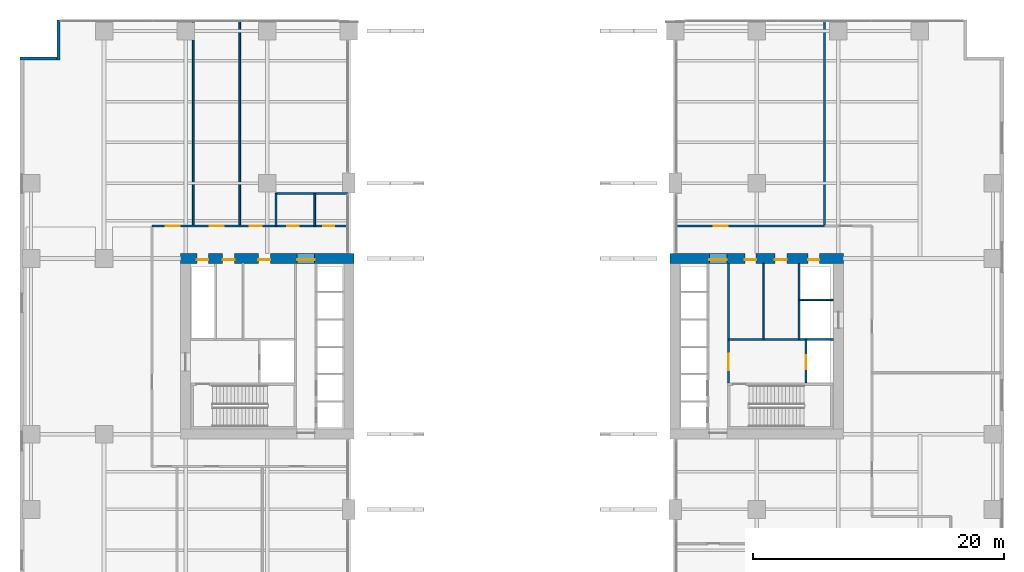
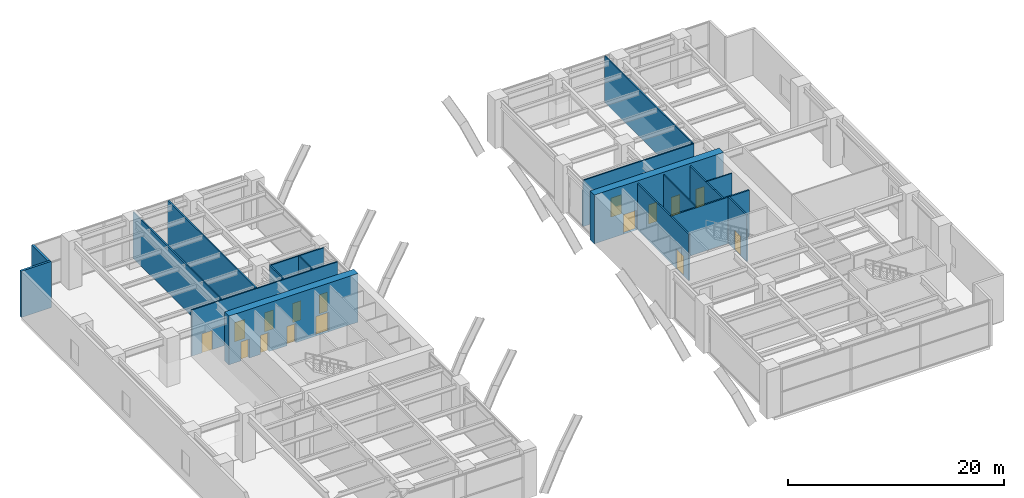
# One storey, part 11 of 17: 18 walls, 16 doors, 16 openings.
"""IFC4 building model written with IfcOpenShell, lengths in metres."""

from ifc_helpers import new_model, si_unit, direction, frame, frame_2d, origin, place, context, subcontext, project, spatial, rectangle, extrude, material, layer, layer_set, type_object, element, fill, save


model = new_model("IFC4")

# Units and contexts
model_context = context("Model", 3, precision=1e-05, world=origin(), true_north=direction((0.0, 1.0)))
body_context = subcontext(model_context, "Body", "Model", "MODEL_VIEW")
ifc_project = project(units=[si_unit("LENGTHUNIT", "METRE"), si_unit("AREAUNIT", "SQUARE_METRE"), si_unit("VOLUMEUNIT", "CUBIC_METRE"), si_unit("PLANEANGLEUNIT", "RADIAN"), si_unit("MASSUNIT", "GRAM", prefix="KILO")], contexts=[model_context])

# Site, building, storey
site_placement = place(None, origin())
site = spatial("IfcSite", under=ifc_project, at=site_placement, CompositionType="ELEMENT")
building_placement = place(site_placement, origin())
building = spatial("IfcBuilding", under=site, at=building_placement, Name="Putna Gate Headquarters", CompositionType="ELEMENT")
storey_placement = place(building_placement, frame((0.0, 0.0, 6.0)))
storey = spatial("IfcBuildingStorey", under=building, at=storey_placement, Name="L01", CompositionType="ELEMENT", Elevation=6.0)

# Wall, openings, doors
ifc_material_1 = material(Name="Concrete C60/75", Category="concrete")
ifc_layer_1 = layer(ifc_material_1, 0.800048828125)
ifc_layer_set_1 = layer_set([ifc_layer_1], Name="Concrete C60/75")
wall_type_1 = type_object("IfcWallType", Name="WALL-CORE-800", PredefinedType="SHEAR", material=ifc_layer_set_1)
wall_1_placement = place(storey_placement, frame((12.60009765625, 33.0, 0.0), z_axis=(0.0, 0.0, 1.0), x_axis=(1.0, 0.0, 0.0)))
wall_1 = element("IfcWall", 1, at=wall_1_placement, inside=storey, type_object=wall_type_1, Name="L01 WC Split Core Shear Wall N", PredefinedType="SHEAR", context=body_context, shape_type="SweptSolid", body=[
    extrude(rectangle(XDim=13.7998046875, YDim=0.800048828125, at=frame_2d((6.89990234375, 0.0))), origin(), (0.0, 0.0, 1.0), 5.5),
])
opening_1_placement = place(wall_1_placement, frame((1.300048828125, 0.0, 0.0)))
opening_1 = element("IfcOpeningElement", 2, at=opening_1_placement, cuts=wall_1, Name="Opening RD-90", PredefinedType="OPENING", context=body_context, shape_type="SweptSolid", body=[
    extrude(rectangle(XDim=0.89990234375, YDim=2.14990234375, at=frame_2d((0.449951171875, 1.074951171875))), frame((0.0, 0.409912109375, 0.0), z_axis=(0.0, -1.0, 0.0), x_axis=(1.0, 0.0, 0.0)), (0.0, 0.0, 1.0), 0.820068359375),
])
opening_2_placement = place(wall_1_placement, frame((3.35009765625, 0.0, 0.0)))
opening_2 = element("IfcOpeningElement", 3, at=opening_2_placement, cuts=wall_1, Name="Opening IDS-95", PredefinedType="OPENING", context=body_context, shape_type="SweptSolid", body=[
    extrude(rectangle(XDim=0.949951171875, YDim=2.14990234375, at=frame_2d((0.47509765625, 1.074951171875))), frame((0.0, 0.409912109375, 0.0), z_axis=(0.0, -1.0, 0.0), x_axis=(1.0, 0.0, 0.0)), (0.0, 0.0, 1.0), 0.820068359375),
])
opening_3_placement = place(wall_1_placement, frame((6.199951171875, 0.0, 0.0)))
opening_3 = element("IfcOpeningElement", 4, at=opening_3_placement, cuts=wall_1, Name="Opening IDS-95", PredefinedType="OPENING", context=body_context, shape_type="SweptSolid", body=[
    extrude(rectangle(XDim=0.949951171875, YDim=2.14990234375, at=frame_2d((0.47509765625, 1.074951171875))), frame((0.0, 0.409912109375, 0.0), z_axis=(0.0, -1.0, 0.0), x_axis=(1.0, 0.0, 0.0)), (0.0, 0.0, 1.0), 0.820068359375),
])
opening_4_placement = place(wall_1_placement, frame((9.280029296875, 0.0, 0.0)))
opening_4 = element("IfcOpeningElement", 5, at=opening_4_placement, cuts=wall_1, Name="Opening FDD-140", PredefinedType="OPENING", context=body_context, shape_type="SweptSolid", body=[
    extrude(rectangle(XDim=1.39990234375, YDim=2.199951171875, at=frame_2d((0.699951171875, 1.10009765625))), frame((0.0, 0.409912109375, 0.0), z_axis=(0.0, -1.0, 0.0), x_axis=(1.0, 0.0, 0.0)), (0.0, 0.0, 1.0), 0.820068359375),
])
ifc_material_2 = material(Name="Double steel fire door", Category="steel")
door_type_1 = type_object("IfcDoorType", Name="DOOR-FIRE-DBL-1400", OperationType="DOUBLE_DOOR_SINGLE_SWING", PredefinedType="DOOR", material=ifc_material_2)
door_1_placement = place(opening_4_placement, origin())
door_1 = element("IfcDoor", 6, at=door_1_placement, inside=storey, type_object=door_type_1, Name="L01 West Lift Lobby North Door", OperationType="DOUBLE_DOOR_SINGLE_SWING", OverallHeight=2.199951171875, OverallWidth=1.39990234375, PredefinedType="DOOR", context=body_context, shape_type="SweptSolid", body=[
    extrude(rectangle(XDim=1.39990234375, YDim=2.199951171875, at=frame_2d((0.699951171875, 1.10009765625))), frame((0.0, -0.0751953125, 0.0), z_axis=(0.0, -1.0, 0.0), x_axis=(1.0, 0.0, 0.0)), (0.0, 0.0, 1.0), 0.050048828125),
])
fill(opening_4, door_1)
ifc_material_3 = material(Name="Fire-rated service timber door", Category="wood")
door_type_2 = type_object("IfcDoorType", Name="DOOR-INT-950", OperationType="NOTDEFINED", PredefinedType="DOOR", material=ifc_material_3)
door_2_placement = place(opening_2_placement, origin())
door_2 = element("IfcDoor", 7, at=door_2_placement, inside=storey, type_object=door_type_2, Name="L01 Archive Store Door", OperationType="SINGLE_SWING_LEFT", OverallHeight=2.14990234375, OverallWidth=0.949951171875, PredefinedType="DOOR", context=body_context, shape_type="SweptSolid", body=[
    extrude(rectangle(XDim=0.949951171875, YDim=2.14990234375, at=frame_2d((0.47509765625, 1.074951171875))), frame((0.0, -0.0751953125, 0.0), z_axis=(0.0, -1.0, 0.0), x_axis=(1.0, 0.0, 0.0)), (0.0, 0.0, 1.0), 0.050048828125),
])
fill(opening_2, door_2)
door_3_placement = place(opening_3_placement, origin())
door_3 = element("IfcDoor", 8, at=door_3_placement, inside=storey, type_object=door_type_2, Name="L01 Switchgear Plant Door", OperationType="SINGLE_SWING_RIGHT", OverallHeight=2.14990234375, OverallWidth=0.949951171875, PredefinedType="DOOR", context=body_context, shape_type="SweptSolid", body=[
    extrude(rectangle(XDim=0.949951171875, YDim=2.14990234375, at=frame_2d((0.47509765625, 1.074951171875))), frame((0.0, -0.0751953125, 0.0), z_axis=(0.0, -1.0, 0.0), x_axis=(1.0, 0.0, 0.0)), (0.0, 0.0, 1.0), 0.050048828125),
])
fill(opening_3, door_3)
ifc_material_4 = material(Name="Steel riser access fire door", Category="steel")
door_type_3 = type_object("IfcDoorType", Name="DOOR-RISER-900", OperationType="NOTDEFINED", PredefinedType="DOOR", material=ifc_material_4)
door_4_placement = place(opening_1_placement, origin())
door_4 = element("IfcDoor", 9, at=door_4_placement, inside=storey, type_object=door_type_3, Name="L01 West Riser Access Door", OperationType="SINGLE_SWING_RIGHT", OverallHeight=2.14990234375, OverallWidth=0.89990234375, PredefinedType="DOOR", context=body_context, shape_type="SweptSolid", body=[
    extrude(rectangle(XDim=0.89990234375, YDim=2.14990234375, at=frame_2d((0.449951171875, 1.074951171875))), frame((0.0, -0.0751953125, 0.0), z_axis=(0.0, -1.0, 0.0), x_axis=(1.0, 0.0, 0.0)), (0.0, 0.0, 1.0), 0.050048828125),
])
fill(opening_1, door_4)

wall_2_placement = place(storey_placement, frame((51.60009765625, 33.0, 0.0), z_axis=(0.0, 0.0, 1.0), x_axis=(1.0, 0.0, 0.0)))
wall_2 = element("IfcWall", 10, at=wall_2_placement, inside=storey, type_object=wall_type_1, Name="L01 EC Split Core Shear Wall N", PredefinedType="SHEAR", context=body_context, shape_type="SweptSolid", body=[
    extrude(rectangle(XDim=13.7998046875, YDim=0.800048828125, at=frame_2d((6.89990234375, 0.0))), origin(), (0.0, 0.0, 1.0), 5.5),
])
opening_5_placement = place(wall_2_placement, frame((3.1201171875, 0.0, 0.0)))
opening_5 = element("IfcOpeningElement", 11, at=opening_5_placement, cuts=wall_2, Name="Opening FDD-140", PredefinedType="OPENING", context=body_context, shape_type="SweptSolid", body=[
    extrude(rectangle(XDim=1.39990234375, YDim=2.199951171875, at=frame_2d((0.699951171875, 1.10009765625))), frame((0.0, 0.409912109375, 0.0), z_axis=(0.0, -1.0, 0.0), x_axis=(1.0, 0.0, 0.0)), (0.0, 0.0, 1.0), 0.820068359375),
])
opening_6_placement = place(wall_2_placement, frame((11.0, 0.0, 0.0)))
opening_6 = element("IfcOpeningElement", 12, at=opening_6_placement, cuts=wall_2, Name="Opening RD-90", PredefinedType="OPENING", context=body_context, shape_type="SweptSolid", body=[
    extrude(rectangle(XDim=0.89990234375, YDim=2.14990234375, at=frame_2d((0.449951171875, 1.074951171875))), frame((0.0, 0.409912109375, 0.0), z_axis=(0.0, -1.0, 0.0), x_axis=(1.0, 0.0, 0.0)), (0.0, 0.0, 1.0), 0.820068359375),
])
opening_7_placement = place(wall_2_placement, frame((5.949951171875, 0.0, 0.0)))
opening_7 = element("IfcOpeningElement", 13, at=opening_7_placement, cuts=wall_2, Name="Opening IDS-90", PredefinedType="OPENING", context=body_context, shape_type="SweptSolid", body=[
    extrude(rectangle(XDim=0.89990234375, YDim=2.14990234375, at=frame_2d((0.449951171875, 1.074951171875))), frame((0.0, 0.409912109375, 0.0), z_axis=(0.0, -1.0, 0.0), x_axis=(1.0, 0.0, 0.0)), (0.0, 0.0, 1.0), 0.820068359375),
])
opening_8_placement = place(wall_2_placement, frame((8.35009765625, 0.0, 0.0)))
opening_8 = element("IfcOpeningElement", 14, at=opening_8_placement, cuts=wall_2, Name="Opening IDS-95", PredefinedType="OPENING", context=body_context, shape_type="SweptSolid", body=[
    extrude(rectangle(XDim=0.949951171875, YDim=2.14990234375, at=frame_2d((0.47509765625, 1.074951171875))), frame((0.0, 0.409912109375, 0.0), z_axis=(0.0, -1.0, 0.0), x_axis=(1.0, 0.0, 0.0)), (0.0, 0.0, 1.0), 0.820068359375),
])
door_5_placement = place(opening_5_placement, origin())
door_5 = element("IfcDoor", 15, at=door_5_placement, inside=storey, type_object=door_type_1, Name="L01 East Lift Lobby North Door", OperationType="DOUBLE_DOOR_SINGLE_SWING", OverallHeight=2.199951171875, OverallWidth=1.39990234375, PredefinedType="DOOR", context=body_context, shape_type="SweptSolid", body=[
    extrude(rectangle(XDim=1.39990234375, YDim=2.199951171875, at=frame_2d((0.699951171875, 1.10009765625))), frame((0.0, -0.0751953125, 0.0), z_axis=(0.0, -1.0, 0.0), x_axis=(1.0, 0.0, 0.0)), (0.0, 0.0, 1.0), 0.050048828125),
])
fill(opening_5, door_5)
ifc_material_5 = material(Name="Fire-rated utility door")
door_type_4 = type_object("IfcDoorType", Name="DOOR-INT-900", OperationType="NOTDEFINED", PredefinedType="DOOR", material=ifc_material_5)
door_6_placement = place(opening_7_placement, origin())
door_6 = element("IfcDoor", 16, at=door_6_placement, inside=storey, type_object=door_type_4, Name="L01 Telecoms Plant Door", OperationType="SINGLE_SWING_LEFT", OverallHeight=2.14990234375, OverallWidth=0.89990234375, PredefinedType="DOOR", context=body_context, shape_type="SweptSolid", body=[
    extrude(rectangle(XDim=0.89990234375, YDim=2.14990234375, at=frame_2d((0.449951171875, 1.074951171875))), frame((0.0, -0.0751953125, 0.0), z_axis=(0.0, -1.0, 0.0), x_axis=(1.0, 0.0, 0.0)), (0.0, 0.0, 1.0), 0.050048828125),
])
fill(opening_7, door_6)
door_7_placement = place(opening_8_placement, origin())
door_7 = element("IfcDoor", 17, at=door_7_placement, inside=storey, type_object=door_type_2, Name="L01 Supplies Store Door", OperationType="SINGLE_SWING_RIGHT", OverallHeight=2.14990234375, OverallWidth=0.949951171875, PredefinedType="DOOR", context=body_context, shape_type="SweptSolid", body=[
    extrude(rectangle(XDim=0.949951171875, YDim=2.14990234375, at=frame_2d((0.47509765625, 1.074951171875))), frame((0.0, -0.0751953125, 0.0), z_axis=(0.0, -1.0, 0.0), x_axis=(1.0, 0.0, 0.0)), (0.0, 0.0, 1.0), 0.050048828125),
])
fill(opening_8, door_7)
door_8_placement = place(opening_6_placement, origin())
door_8 = element("IfcDoor", 18, at=door_8_placement, inside=storey, type_object=door_type_3, Name="L01 East Riser Access Door", OperationType="SINGLE_SWING_LEFT", OverallHeight=2.14990234375, OverallWidth=0.89990234375, PredefinedType="DOOR", context=body_context, shape_type="SweptSolid", body=[
    extrude(rectangle(XDim=0.89990234375, YDim=2.14990234375, at=frame_2d((0.449951171875, 1.074951171875))), frame((0.0, -0.0751953125, 0.0), z_axis=(0.0, -1.0, 0.0), x_axis=(1.0, 0.0, 0.0)), (0.0, 0.0, 1.0), 0.050048828125),
])
fill(opening_6, door_8)

# Walls
ifc_material_6 = material(Name="Precast concrete C40/50", Category="concrete")
ifc_layer_2 = layer(ifc_material_6, 0.239990234375)
ifc_layer_set_2 = layer_set([ifc_layer_2], Name="Precast concrete C40/50")
wall_type_2 = type_object("IfcWallType", Name="WALL-EXT-TERR-240", PredefinedType="STANDARD", material=ifc_layer_set_2)
for number, where, z_axis, x_axis, name in (
    (19, (2.8798828125, 48.800048828125, 0.0), (0.0, 0.0, 1.0), (0.0, 1.0, 0.0), "L01 Corner Notch Return Wall NW-V"),
    (20, (-0.199951171875, 48.919921875, 0.0), (0.0, 0.0, 1.0), (1.0, 0.0, 0.0), "L01 Corner Notch Return Wall NW-H"),
):
    element("IfcWall", number, at=place(storey_placement, frame(where, z_axis=z_axis, x_axis=x_axis)), inside=storey, type_object=wall_type_2, Name=name, PredefinedType="STANDARD", context=body_context, shape_type="SweptSolid", body=[
        extrude(rectangle(XDim=3.199951171875, YDim=0.239990234375, at=frame_2d((1.60009765625, 0.0))), origin(), (0.0, 0.0, 1.0), 5.219970703125),
    ])
ifc_material_7 = material(Name="Fire-rated shaftwall gypsum board on metal stud")
ifc_layer_3 = layer(ifc_material_7, 0.1201171875)
ifc_layer_set_3 = layer_set([ifc_layer_3], Name="Fire-rated shaftwall gypsum board on metal stud")
wall_type_3 = type_object("IfcWallType", Name="WALL-PART-120-EI120", PredefinedType="PARTITIONING", material=ifc_layer_set_3)
wall_3_placement = place(storey_placement, frame((61.8701171875, 29.699951171875, 0.0), z_axis=(0.0, 0.0, 1.0), x_axis=(1.0, 0.0, 0.0)))
element("IfcWall", 21, at=wall_3_placement, inside=storey, type_object=wall_type_3, Name="L01 Interior Wall CWINT-L01-EC-LF15-N", PredefinedType="PARTITIONING", context=body_context, shape_type="SweptSolid", body=[
    extrude(rectangle(XDim=2.72998046875, YDim=0.1201171875, at=frame_2d((1.364990234375, 0.0))), origin(), (0.0, 0.0, 1.0), 5.219970703125),
])
ifc_material_8 = material(Name="Fire-rated gypsum board on metal stud")
ifc_layer_4 = layer(ifc_material_8, 0.1201171875)
ifc_layer_set_4 = layer_set([ifc_layer_4], Name="Fire-rated gypsum board on metal stud")
wall_type_4 = type_object("IfcWallType", Name="WALL-PART-120-RATED", PredefinedType="PARTITIONING", material=ifc_layer_set_4)
wall_4_placement = place(storey_placement, frame((59.02001953125, 26.56005859375, 0.0), z_axis=(0.0, 0.0, 1.0), x_axis=(0.0, 1.0, 0.0)))
element("IfcWall", 22, at=wall_4_placement, inside=storey, type_object=wall_type_4, Name="L01 Interior Wall CWINT-L01-EC-K1-DIV", PredefinedType="PARTITIONING", context=body_context, shape_type="SweptSolid", body=[
    extrude(rectangle(XDim=6.0400390625, YDim=0.1201171875, at=frame_2d((3.02001953125, 0.0))), origin(), (0.0, 0.0, 1.0), 5.219970703125),
])
ifc_layer_5 = layer(ifc_material_8, 0.139892578125)
ifc_layer_set_5 = layer_set([ifc_layer_5], Name="Fire-rated gypsum board on metal stud")
wall_type_5 = type_object("IfcWallType", Name="WALL-PART-140", PredefinedType="PARTITIONING", material=ifc_layer_set_5)
for number, where, z_axis, x_axis, name in (
    (23, (20.199951171875, 35.580078125, 0.0), (0.0, 0.0, 1.0), (0.0, 1.0, 0.0), "L01 Interior Wall PART-L01-PODWC-W"),
    (24, (23.2900390625, 35.580078125, 0.0), (0.0, 0.0, 1.0), (0.0, 1.0, 0.0), "L01 Interior Wall PART-L01-PODWC-M"),
):
    element("IfcWall", number, at=place(storey_placement, frame(where, z_axis=z_axis, x_axis=x_axis)), inside=storey, type_object=wall_type_5, Name=name, PredefinedType="PARTITIONING", context=body_context, shape_type="SweptSolid", body=[
        extrude(rectangle(XDim=2.599853515625, YDim=0.139892578125, at=frame_2d((1.2998046875, 0.0))), origin(), (0.0, 0.0, 1.0), 5.219970703125),
    ])
wall_5_placement = place(storey_placement, frame((20.199951171875, 38.179931640625, 0.0), z_axis=(0.0, 0.0, 1.0), x_axis=(1.0, 0.0, 0.0)))
element("IfcWall", 25, at=wall_5_placement, inside=storey, type_object=wall_type_5, Name="L01 Interior Wall PART-L01-PODWC-N", PredefinedType="PARTITIONING", context=body_context, shape_type="SweptSolid", body=[
    extrude(rectangle(XDim=5.719970703125, YDim=0.139892578125, at=frame_2d((2.85986328125, 0.0))), origin(), (0.0, 0.0, 1.0), 5.219970703125),
])

# Wall, openings, doors
wall_6_placement = place(storey_placement, frame((10.320068359375, 35.580078125, 0.0), z_axis=(0.0, 0.0, 1.0), x_axis=(1.0, 0.0, 0.0)))
wall_6 = element("IfcWall", 26, at=wall_6_placement, inside=storey, type_object=wall_type_5, Name="L01 Interior Wall PART-L01-WN-CW", PredefinedType="PARTITIONING", context=body_context, shape_type="SweptSolid", body=[
    extrude(rectangle(XDim=15.599853515625, YDim=0.139892578125, at=frame_2d((7.7998046875, 0.0))), origin(), (0.0, 0.0, 1.0), 5.219970703125),
])
opening_9_placement = place(wall_6_placement, frame((10.780029296875, 0.0, 0.0)))
opening_9 = element("IfcOpeningElement", 27, at=opening_9_placement, cuts=wall_6, Name="Opening IDS-90", PredefinedType="OPENING", context=body_context, shape_type="SweptSolid", body=[
    extrude(rectangle(XDim=0.89990234375, YDim=2.14990234375, at=frame_2d((0.449951171875, 1.074951171875))), frame((0.0, 0.079833984375, 0.0), z_axis=(0.0, -1.0, 0.0), x_axis=(1.0, 0.0, 0.0)), (0.0, 0.0, 1.0), 0.159912109375),
])
opening_10_placement = place(wall_6_placement, frame((13.6298828125, 0.0, 0.0)))
opening_10 = element("IfcOpeningElement", 28, at=opening_10_placement, cuts=wall_6, Name="Opening IDS-90", PredefinedType="OPENING", context=body_context, shape_type="SweptSolid", body=[
    extrude(rectangle(XDim=0.89990234375, YDim=2.14990234375, at=frame_2d((0.449951171875, 1.074951171875))), frame((0.0, 0.079833984375, 0.0), z_axis=(0.0, -1.0, 0.0), x_axis=(1.0, 0.0, 0.0)), (0.0, 0.0, 1.0), 0.159912109375),
])
opening_11_placement = place(wall_6_placement, frame((1.10009765625, 0.0, 0.0)))
opening_11 = element("IfcOpeningElement", 29, at=opening_11_placement, cuts=wall_6, Name="Opening IDS-110", PredefinedType="OPENING", context=body_context, shape_type="SweptSolid", body=[
    extrude(rectangle(XDim=1.10009765625, YDim=2.14990234375, at=frame_2d((0.550048828125, 1.074951171875))), frame((0.0, 0.079833984375, 0.0), z_axis=(0.0, -1.0, 0.0), x_axis=(1.0, 0.0, 0.0)), (0.0, 0.0, 1.0), 0.159912109375),
])
opening_12_placement = place(wall_6_placement, frame((4.60009765625, 0.0, 0.0)))
opening_12 = element("IfcOpeningElement", 30, at=opening_12_placement, cuts=wall_6, Name="Opening IDS-110", PredefinedType="OPENING", context=body_context, shape_type="SweptSolid", body=[
    extrude(rectangle(XDim=1.10009765625, YDim=2.14990234375, at=frame_2d((0.550048828125, 1.074951171875))), frame((0.0, 0.079833984375, 0.0), z_axis=(0.0, -1.0, 0.0), x_axis=(1.0, 0.0, 0.0)), (0.0, 0.0, 1.0), 0.159912109375),
])
opening_13_placement = place(wall_6_placement, frame((7.800048828125, 0.0, 0.0)))
opening_13 = element("IfcOpeningElement", 31, at=opening_13_placement, cuts=wall_6, Name="Opening IDS-95", PredefinedType="OPENING", context=body_context, shape_type="SweptSolid", body=[
    extrude(rectangle(XDim=0.949951171875, YDim=2.14990234375, at=frame_2d((0.47509765625, 1.074951171875))), frame((0.0, 0.079833984375, 0.0), z_axis=(0.0, -1.0, 0.0), x_axis=(1.0, 0.0, 0.0)), (0.0, 0.0, 1.0), 0.159912109375),
])
ifc_material_9 = material(Name="Fire-rated meeting room door")
door_type_5 = type_object("IfcDoorType", Name="DOOR-INT-1100", OperationType="NOTDEFINED", PredefinedType="DOOR", material=ifc_material_9)
door_9_placement = place(opening_11_placement, origin())
door_9 = element("IfcDoor", 32, at=door_9_placement, inside=storey, type_object=door_type_5, Name="L01 Seminar Room A Door", OperationType="SINGLE_SWING_LEFT", OverallHeight=2.14990234375, OverallWidth=1.10009765625, PredefinedType="DOOR", context=body_context, shape_type="SweptSolid", body=[
    extrude(rectangle(XDim=1.10009765625, YDim=2.14990234375, at=frame_2d((0.550048828125, 1.074951171875))), frame((0.0, 0.02490234375, 0.0), z_axis=(0.0, -1.0, 0.0), x_axis=(1.0, 0.0, 0.0)), (0.0, 0.0, 1.0), 0.050048828125),
])
fill(opening_11, door_9)
door_10_placement = place(opening_12_placement, origin())
door_10 = element("IfcDoor", 33, at=door_10_placement, inside=storey, type_object=door_type_5, Name="L01 Seminar Room B Door", OperationType="SINGLE_SWING_LEFT", OverallHeight=2.14990234375, OverallWidth=1.10009765625, PredefinedType="DOOR", context=body_context, shape_type="SweptSolid", body=[
    extrude(rectangle(XDim=1.10009765625, YDim=2.14990234375, at=frame_2d((0.550048828125, 1.074951171875))), frame((0.0, 0.02490234375, 0.0), z_axis=(0.0, -1.0, 0.0), x_axis=(1.0, 0.0, 0.0)), (0.0, 0.0, 1.0), 0.050048828125),
])
fill(opening_12, door_10)
door_11_placement = place(opening_9_placement, origin())
door_11 = element("IfcDoor", 34, at=door_11_placement, inside=storey, type_object=door_type_4, Name="L01 Washroom Door", OperationType="SINGLE_SWING_LEFT", OverallHeight=2.14990234375, OverallWidth=0.89990234375, PredefinedType="DOOR", context=body_context, shape_type="SweptSolid", body=[
    extrude(rectangle(XDim=0.89990234375, YDim=2.14990234375, at=frame_2d((0.449951171875, 1.074951171875))), frame((0.0, 0.02490234375, 0.0), z_axis=(0.0, -1.0, 0.0), x_axis=(1.0, 0.0, 0.0)), (0.0, 0.0, 1.0), 0.050048828125),
])
fill(opening_9, door_11)
door_12_placement = place(opening_10_placement, origin())
door_12 = element("IfcDoor", 35, at=door_12_placement, inside=storey, type_object=door_type_4, Name="L01 Accessible WC Door", OperationType="SINGLE_SWING_LEFT", OverallHeight=2.14990234375, OverallWidth=0.89990234375, PredefinedType="DOOR", context=body_context, shape_type="SweptSolid", body=[
    extrude(rectangle(XDim=0.89990234375, YDim=2.14990234375, at=frame_2d((0.449951171875, 1.074951171875))), frame((0.0, 0.02490234375, 0.0), z_axis=(0.0, -1.0, 0.0), x_axis=(1.0, 0.0, 0.0)), (0.0, 0.0, 1.0), 0.050048828125),
])
fill(opening_10, door_12)
door_13_placement = place(opening_13_placement, origin())
door_13 = element("IfcDoor", 36, at=door_13_placement, inside=storey, type_object=door_type_2, Name="L01 Catering Lounge Door", OperationType="SINGLE_SWING_LEFT", OverallHeight=2.14990234375, OverallWidth=0.949951171875, PredefinedType="DOOR", context=body_context, shape_type="SweptSolid", body=[
    extrude(rectangle(XDim=0.949951171875, YDim=2.14990234375, at=frame_2d((0.47509765625, 1.074951171875))), frame((0.0, 0.02490234375, 0.0), z_axis=(0.0, -1.0, 0.0), x_axis=(1.0, 0.0, 0.0)), (0.0, 0.0, 1.0), 0.050048828125),
])
fill(opening_13, door_13)

# Walls
for number, where, z_axis, x_axis, name in (
    (37, (13.60009765625, 35.580078125, 0.0), (0.0, 0.0, 1.0), (0.0, 1.0, 0.0), "L01 Interior Wall PART-L01-NW1"),
    (38, (17.300048828125, 35.580078125, 0.0), (0.0, 0.0, 1.0), (0.0, 1.0, 0.0), "L01 Interior Wall PART-L01-NW2"),
    (39, (63.89990234375, 35.580078125, 0.0), (0.0, 0.0, 1.0), (0.0, 1.0, 0.0), "L01 Interior Wall PART-L01-NE1"),
):
    element("IfcWall", number, at=place(storey_placement, frame(where, z_axis=z_axis, x_axis=x_axis)), inside=storey, type_object=wall_type_5, Name=name, PredefinedType="PARTITIONING", context=body_context, shape_type="SweptSolid", body=[
        extrude(rectangle(XDim=16.35986328125, YDim=0.139892578125, at=frame_2d((8.179931640625, 0.0))), origin(), (0.0, 0.0, 1.0), 5.219970703125),
    ])

# Wall, opening, door
wall_7_placement = place(storey_placement, frame((52.080078125, 35.580078125, 0.0), z_axis=(0.0, 0.0, 1.0), x_axis=(1.0, 0.0, 0.0)))
wall_7 = element("IfcWall", 40, at=wall_7_placement, inside=storey, type_object=wall_type_5, Name="L01 Interior Wall PART-L01-EO", PredefinedType="PARTITIONING", context=body_context, shape_type="SweptSolid", body=[
    extrude(rectangle(XDim=11.81982421875, YDim=0.139892578125, at=frame_2d((5.909912109375, 0.0))), origin(), (0.0, 0.0, 1.0), 5.219970703125),
])
opening_14_placement = place(wall_7_placement, frame((3.0, 0.0, 0.0)))
opening_14 = element("IfcOpeningElement", 41, at=opening_14_placement, cuts=wall_7, Name="Opening IDS-110", PredefinedType="OPENING", context=body_context, shape_type="SweptSolid", body=[
    extrude(rectangle(XDim=1.10009765625, YDim=2.14990234375, at=frame_2d((0.550048828125, 1.074951171875))), frame((0.0, 0.079833984375, 0.0), z_axis=(0.0, -1.0, 0.0), x_axis=(1.0, 0.0, 0.0)), (0.0, 0.0, 1.0), 0.159912109375),
])
door_14_placement = place(opening_14_placement, origin())
door_14 = element("IfcDoor", 42, at=door_14_placement, inside=storey, type_object=door_type_5, Name="L01 Client Open Office Door", OperationType="SINGLE_SWING_LEFT", OverallHeight=2.14990234375, OverallWidth=1.10009765625, PredefinedType="DOOR", context=body_context, shape_type="SweptSolid", body=[
    extrude(rectangle(XDim=1.10009765625, YDim=2.14990234375, at=frame_2d((0.550048828125, 1.074951171875))), frame((0.0, 0.02490234375, 0.0), z_axis=(0.0, -1.0, 0.0), x_axis=(1.0, 0.0, 0.0)), (0.0, 0.0, 1.0), 0.050048828125),
])
fill(opening_14, door_14)

ifc_material_10 = material(Name="Concrete C40/50", Category="concrete")
ifc_layer_6 = layer(ifc_material_10, 0.159912109375)
ifc_layer_set_6 = layer_set([ifc_layer_6], Name="Concrete C40/50")
wall_type_6 = type_object("IfcWallType", Name="WALL-SHAFT-160", PredefinedType="STANDARD", material=ifc_layer_set_6)
wall_8_placement = place(storey_placement, frame((56.260009765625, 23.090087890625, 0.0), z_axis=(0.0, 0.0, 1.0), x_axis=(0.0, 1.0, 0.0)))
wall_8 = element("IfcWall", 43, at=wall_8_placement, inside=storey, type_object=wall_type_6, Name="L01 Interior Wall CWINT-L01-EC-LOB-E", PredefinedType="STANDARD", context=body_context, shape_type="SweptSolid", body=[
    extrude(rectangle(XDim=9.510009765625, YDim=0.159912109375, at=frame_2d((4.7548828125, 0.0))), origin(), (0.0, 0.0, 1.0), 5.219970703125),
])
opening_15_placement = place(wall_8_placement, frame((1.010009765625, 0.0, 0.0)))
opening_15 = element("IfcOpeningElement", 44, at=opening_15_placement, cuts=wall_8, Name="Opening FDD-130", PredefinedType="OPENING", context=body_context, shape_type="SweptSolid", body=[
    extrude(rectangle(XDim=1.300048828125, YDim=2.199951171875, at=frame_2d((0.64990234375, 1.10009765625))), frame((0.0, 0.08984375, 0.0), z_axis=(0.0, -1.0, 0.0), x_axis=(1.0, 0.0, 0.0)), (0.0, 0.0, 1.0), 0.179931640625),
])
ifc_material_11 = material(Name="Double steel lobby fire door", Category="steel")
door_type_6 = type_object("IfcDoorType", Name="DOOR-FIRE-DBL-1300", OperationType="DOUBLE_DOOR_SINGLE_SWING", PredefinedType="DOOR", material=ifc_material_11)
door_15_placement = place(opening_15_placement, origin())
door_15 = element("IfcDoor", 45, at=door_15_placement, inside=storey, type_object=door_type_6, Name="L01 East Firefighting Lobby Door", OperationType="DOUBLE_DOOR_SINGLE_SWING", OverallHeight=2.199951171875, OverallWidth=1.300048828125, PredefinedType="DOOR", context=body_context, shape_type="SweptSolid", body=[
    extrude(rectangle(XDim=1.300048828125, YDim=2.199951171875, at=frame_2d((0.64990234375, 1.10009765625))), frame((0.0, 0.02490234375, 0.0), z_axis=(0.0, -1.0, 0.0), x_axis=(1.0, 0.0, 0.0)), (0.0, 0.0, 1.0), 0.050048828125),
])
fill(opening_15, door_15)

wall_9_placement = place(storey_placement, frame((62.429931640625, 23.090087890625, 0.0), z_axis=(0.0, 0.0, 1.0), x_axis=(0.0, 1.0, 0.0)))
wall_9 = element("IfcWall", 46, at=wall_9_placement, inside=storey, type_object=wall_type_6, Name="L01 Interior Wall CWINT-L01-EC-LF14-W", PredefinedType="STANDARD", context=body_context, shape_type="SweptSolid", body=[
    extrude(rectangle(XDim=3.469970703125, YDim=0.159912109375, at=frame_2d((1.73486328125, 0.0))), origin(), (0.0, 0.0, 1.0), 5.219970703125),
])
opening_16_placement = place(wall_9_placement, frame((1.10009765625, 0.0, 0.0)))
opening_16 = element("IfcOpeningElement", 47, at=opening_16_placement, cuts=wall_9, Name="Opening LD-1", PredefinedType="OPENING", context=body_context, shape_type="SweptSolid", body=[
    extrude(rectangle(XDim=1.10009765625, YDim=2.199951171875, at=frame_2d((0.550048828125, 1.10009765625))), frame((0.0, 0.08984375, 0.0), z_axis=(0.0, -1.0, 0.0), x_axis=(1.0, 0.0, 0.0)), (0.0, 0.0, 1.0), 0.179931640625),
])
ifc_material_12 = material(Name="Brushed bronze stainless lift landing door")
door_type_7 = type_object("IfcDoorType", Name="DOOR-LIFT-1100", OperationType="DOUBLE_DOOR_SLIDING", PredefinedType="DOOR", material=ifc_material_12)
door_16_placement = place(opening_16_placement, origin())
door_16 = element("IfcDoor", 48, at=door_16_placement, inside=storey, type_object=door_type_7, Name="L01 Lift Landing Door LD-14", OperationType="DOUBLE_DOOR_SLIDING", OverallHeight=2.199951171875, OverallWidth=1.10009765625, PredefinedType="DOOR", context=body_context, shape_type="SweptSolid", body=[
    extrude(rectangle(XDim=1.10009765625, YDim=2.199951171875, at=frame_2d((0.550048828125, 1.10009765625))), frame((0.0, 0.02490234375, 0.0), z_axis=(0.0, -1.0, 0.0), x_axis=(1.0, 0.0, 0.0)), (0.0, 0.0, 1.0), 0.050048828125),
])
fill(opening_16, door_16)

# Walls
wall_10_placement = place(storey_placement, frame((56.260009765625, 26.56005859375, 0.0), z_axis=(0.0, 0.0, 1.0), x_axis=(1.0, 0.0, 0.0)))
element("IfcWall", 49, at=wall_10_placement, inside=storey, type_object=wall_type_6, Name="L01 Interior Wall CWINT-L01-EC-FFL-N", PredefinedType="STANDARD", context=body_context, shape_type="SweptSolid", body=[
    extrude(rectangle(XDim=8.340087890625, YDim=0.159912109375, at=frame_2d((4.169921875, 0.0))), origin(), (0.0, 0.0, 1.0), 5.219970703125),
])
wall_11_placement = place(storey_placement, frame((61.8701171875, 26.56005859375, 0.0), z_axis=(0.0, 0.0, 1.0), x_axis=(0.0, 1.0, 0.0)))
element("IfcWall", 50, at=wall_11_placement, inside=storey, type_object=wall_type_6, Name="L01 Interior Wall CWINT-L01-EC-LF15-W", PredefinedType="STANDARD", context=body_context, shape_type="SweptSolid", body=[
    extrude(rectangle(XDim=6.0400390625, YDim=0.159912109375, at=frame_2d((3.02001953125, 0.0))), origin(), (0.0, 0.0, 1.0), 5.219970703125),
])

save(model, "model.ifc")
